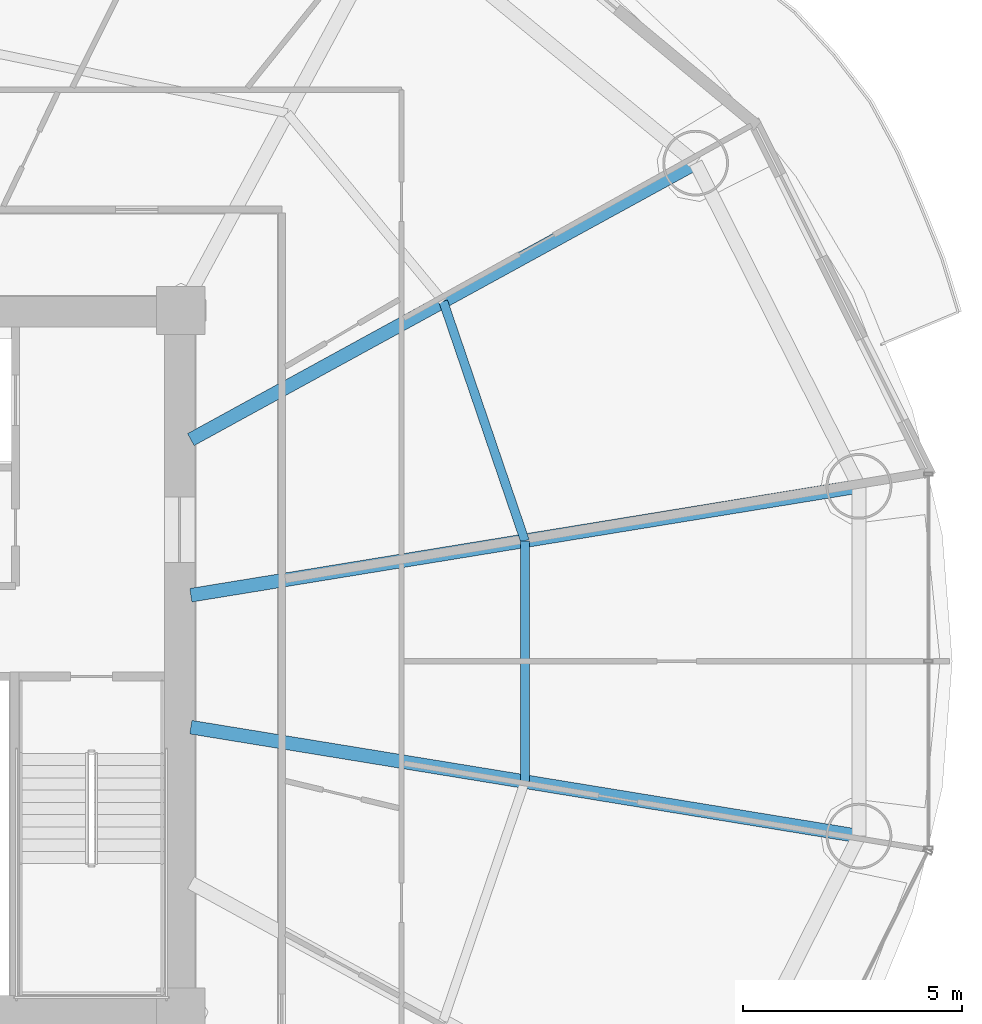
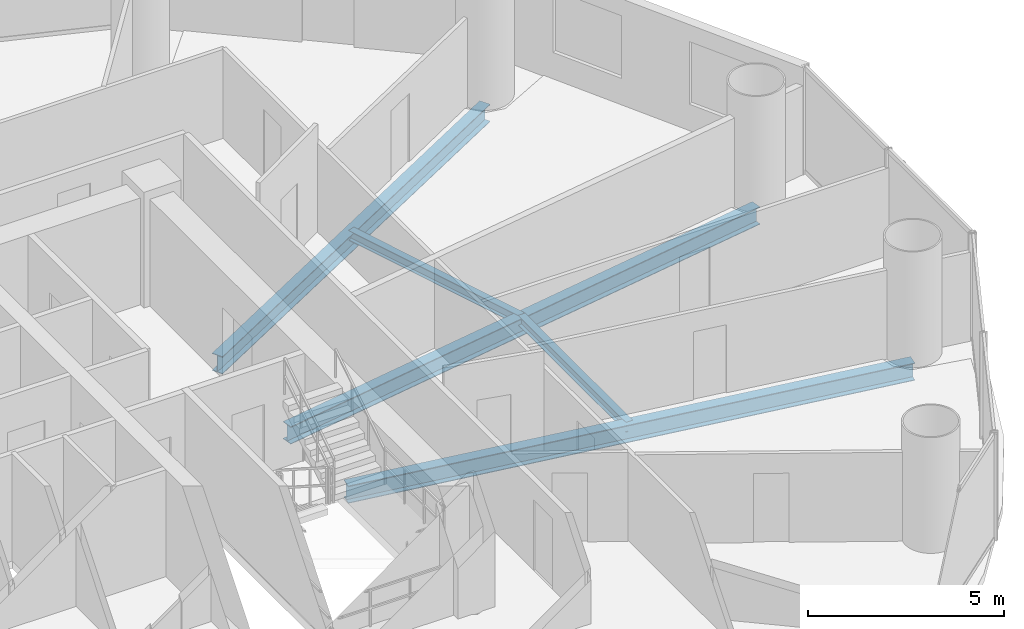
# One storey, part 14 of 29: 5 beams.
"""IFC4 building model written with IfcOpenShell, lengths in metres."""

import ifcopenshell
import ifcopenshell.guid

model = None  # the IFC model being written
_history = None  # IfcOwnerHistory: only IFC2X3 demands one
_inside = {}  # id of a spatial element -> (the spatial element, [elements in it])
_under = {}  # id of a project, library or spatial element -> (it, [spatial elements below it])
_declared = {}  # id of a project -> (the project, [libraries it declares])
_typed = {}  # id of a type object -> (the type object, [elements of that type])
_made_of = {}  # id of a material, layer set ... -> (it, [elements and type objects made of it])


def new_model(schema):
    """Start an empty IFC model of exactly this schema.

    Asked for "IFC4X3", IfcOpenShell would pick the latest addendum, in which some entities
    have other attributes; the version numbers below select the first issue.
    IFC2X3 requires an IfcOwnerHistory on every rooted entity: one is made here for all.
    """
    global model, _history
    if schema == "IFC4X3":
        model = ifcopenshell.file(schema_version=(4, 3, 0, 0))
    else:
        model = ifcopenshell.file(schema=schema)
    _inside.clear()
    _under.clear()
    _declared.clear()
    _typed.clear()
    _made_of.clear()
    _history = None
    if model.schema == "IFC2X3":
        org = make("IfcOrganization", Name="unknown")
        user = make(
            "IfcPersonAndOrganization",
            ThePerson=make("IfcPerson", FamilyName="unknown"),
            TheOrganization=org,
        )
        app = make(
            "IfcApplication",
            ApplicationDeveloper=org,
            Version="unknown",
            ApplicationFullName="unknown",
            ApplicationIdentifier="unknown",
        )
        _history = make(
            "IfcOwnerHistory",
            OwningUser=user,
            OwningApplication=app,
            ChangeAction="ADDED",
            CreationDate=0,
        )
    return model


def make(cls, **values):
    """One entity of the class cls with the attributes given. An attribute that is None is left unset."""
    return model.create_entity(
        cls, **{name: value for name, value in values.items() if value is not None}
    )


def rooted(cls, **values):
    """An entity with a GlobalId (a new one), such as an element, a storey or a relation."""
    return make(cls, GlobalId=ifcopenshell.guid.new(), OwnerHistory=_history, **values)


def si_unit(unit_type, name, prefix=None):
    """IfcSIUnit, for example si_unit("LENGTHUNIT", "METRE", prefix="MILLI")."""
    return make("IfcSIUnit", UnitType=unit_type, Prefix=prefix, Name=name)


def assignment(units):
    """IfcUnitAssignment: the units of a project."""
    return None if units is None else make("IfcUnitAssignment", Units=units)


def point(xyz):
    """IfcCartesianPoint."""
    return None if xyz is None else make("IfcCartesianPoint", Coordinates=xyz)


def direction(xyz):
    """IfcDirection."""
    return None if xyz is None else make("IfcDirection", DirectionRatios=xyz)


def frame(location, z_axis=None, x_axis=None):
    """IfcAxis2Placement3D, a coordinate frame: its origin and axes. An axis left out is left unset."""
    return make(
        "IfcAxis2Placement3D",
        Location=point(location),
        Axis=direction(z_axis),
        RefDirection=direction(x_axis),
    )


def frame_2d(location, x_axis=None):
    """IfcAxis2Placement2D, a coordinate frame in the plane: its origin and x axis."""
    return make(
        "IfcAxis2Placement2D", Location=point(location), RefDirection=direction(x_axis)
    )


def origin():
    """The frame at (0, 0, 0) with its axes left unset."""
    return frame((0.0, 0.0, 0.0))


def origin_2d():
    """The frame at (0, 0) in the plane with its x axis left unset."""
    return frame_2d((0.0, 0.0))


def place(relative_to, where):
    """IfcLocalPlacement: puts the frame where relative to a parent placement (None: the world)."""
    return make(
        "IfcLocalPlacement", PlacementRelTo=relative_to, RelativePlacement=where
    )


def context(
    kind, dimensions, precision=None, world=None, true_north=None, identifier=None
):
    """IfcGeometricRepresentationContext, for example the 3D "Model" context."""
    return make(
        "IfcGeometricRepresentationContext",
        ContextIdentifier=identifier,
        ContextType=kind,
        CoordinateSpaceDimension=dimensions,
        Precision=precision,
        WorldCoordinateSystem=world,
        TrueNorth=true_north,
    )


def subcontext(parent, identifier, kind, view, scale=None):
    """IfcGeometricRepresentationSubContext, for example "Body" below "Model"."""
    return make(
        "IfcGeometricRepresentationSubContext",
        ContextIdentifier=identifier,
        ContextType=kind,
        ParentContext=parent,
        TargetScale=scale,
        TargetView=view,
    )


def project(units=None, contexts=None):
    """IfcProject with its units and contexts."""
    return rooted(
        "IfcProject",
        Name="project",
        RepresentationContexts=contexts,
        UnitsInContext=assignment(units),
    )


def spatial(cls, under=None, at=None, **own):
    """A site, building, storey or space (cls), placed at a placement, below another one or the project."""
    s = rooted(cls, ObjectPlacement=at, **own)
    if under is not None:
        _under.setdefault(under.id(), (under, []))[1].append(s)
    return s


def profile(cls, at=None, kind="AREA", **sizes):
    """A parametric profile (cls). Its sizes go by their IFC names, for example OverallWidth=200.0."""
    return make(cls, ProfileType=kind, Position=at, **sizes)


def i_section(**sizes):
    """IfcIShapeProfileDef."""
    return profile("IfcIShapeProfileDef", **sizes)


def extrude(swept, where, along, depth):
    """IfcExtrudedAreaSolid: the profile swept, set in the frame where, extruded along a direction by depth."""
    return make(
        "IfcExtrudedAreaSolid",
        SweptArea=swept,
        Position=where,
        ExtrudedDirection=direction(along),
        Depth=depth,
    )


def shape(context_of_items, identifier, shape_type, items):
    """IfcShapeRepresentation: the items that make up one representation, for example the "Body"."""
    return make(
        "IfcShapeRepresentation",
        ContextOfItems=context_of_items,
        RepresentationIdentifier=identifier,
        RepresentationType=shape_type,
        Items=items,
    )


def material(Name=None, Category=None):
    """IfcMaterial."""
    return make("IfcMaterial", Name=Name, Category=Category)


def material_profile(
    of_material, cross_section, Name=None, Category=None, Priority=None
):
    """IfcMaterialProfile: a cross section and its material."""
    return make(
        "IfcMaterialProfile",
        Name=Name,
        Material=of_material,
        Profile=cross_section,
        Priority=Priority,
        Category=Category,
    )


def profile_set(profiles, Name=None, composite=None):
    """IfcMaterialProfileSet."""
    return make(
        "IfcMaterialProfileSet",
        Name=Name,
        MaterialProfiles=profiles,
        CompositeProfile=composite,
    )


def made_of(thing, what):
    """Note that an element or type object is made of a material, layer set ...; save() writes the relation."""
    if what is not None:
        _made_of.setdefault(what.id(), (what, []))[1].append(thing)
    return thing


def type_object(cls, material=None, **own):
    """A type object (cls), such as IfcWallType, which elements share."""
    return made_of(rooted(cls, **own), material)


def element(
    cls,
    number,
    at=None,
    inside=None,
    cuts=None,
    type_object=None,
    material=None,
    context=None,
    identifier="Body",
    shape_type=None,
    held_by="IfcProductDefinitionShape",
    body=None,
    shapes=None,
    **own,
):
    """One element of the class cls, such as IfcWall. Its Tag is "e" and its number.

    at: its placement. inside: the storey or other place that contains it. cuts: it is an
    opening in that element (IfcRelVoidsElement). A single representation is given by context,
    identifier, shape_type and body (its items); several are given by shapes. held_by: the class
    of the entity that holds the representations. save() writes the other relations.
    """
    e = rooted(cls, Tag="e%d" % number, ObjectPlacement=at, **own)
    if body is not None:
        shapes = [shape(context, identifier, shape_type, body)]
    if shapes is not None:
        e.Representation = make(held_by, Representations=shapes)
    if inside is not None:
        _inside.setdefault(inside.id(), (inside, []))[1].append(e)
    if cuts is not None:
        rooted(
            "IfcRelVoidsElement", RelatingBuildingElement=cuts, RelatedOpeningElement=e
        )
    if type_object is not None:
        _typed.setdefault(type_object.id(), (type_object, []))[1].append(e)
    return made_of(e, material)


def aggregate(whole, parts):
    """IfcRelAggregates: a whole, such as a stair, and the parts it consists of."""
    return rooted("IfcRelAggregates", RelatingObject=whole, RelatedObjects=parts)


def save(model, path):
    """Write the relations noted so far, then the file.

    IfcRelAggregates (storeys below a building ...), IfcRelContainedInSpatialStructure (elements
    in a storey), IfcRelDefinesByType, IfcRelAssociatesMaterial and IfcRelDeclares: one each for
    every whole, place, type object, material and project.
    """
    for whole, parts in _under.values():
        aggregate(whole, parts)
    for where, things in _inside.values():
        rooted(
            "IfcRelContainedInSpatialStructure",
            RelatedElements=things,
            RelatingStructure=where,
        )
    for kind, things in _typed.values():
        rooted("IfcRelDefinesByType", RelatedObjects=things, RelatingType=kind)
    for what, things in _made_of.values():
        rooted("IfcRelAssociatesMaterial", RelatedObjects=things, RelatingMaterial=what)
    for by, libraries in _declared.values():
        rooted("IfcRelDeclares", RelatingContext=by, RelatedDefinitions=libraries)
    model.write(path)


model = new_model("IFC4")

# Units and contexts
model_context = context("Model", 3, precision=1e-05, world=origin(), true_north=direction((-0.2419218956, 0.970295726276)))
body_context = subcontext(model_context, "Body", "Model", "MODEL_VIEW")
ifc_project = project(units=[si_unit("LENGTHUNIT", "METRE"), si_unit("AREAUNIT", "SQUARE_METRE"), si_unit("VOLUMEUNIT", "CUBIC_METRE"), si_unit("PLANEANGLEUNIT", "RADIAN"), si_unit("MASSUNIT", "GRAM", prefix="KILO")], contexts=[model_context])

# Site, building, storey
site_placement = place(None, origin())
site = spatial("IfcSite", under=ifc_project, at=site_placement, CompositionType="ELEMENT")
building_placement = place(site_placement, origin())
building = spatial("IfcBuilding", under=site, at=building_placement, Name="Cobrevalo Terracotta Tower", CompositionType="ELEMENT")
storey_placement = place(building_placement, frame((0.0, 0.0, 79.800048828125)))
storey = spatial("IfcBuildingStorey", under=building, at=storey_placement, Name="L20", CompositionType="ELEMENT", Elevation=79.800048828125)

# Beams
ifc_material = material(Name="Steel S355", Category="steel")
ifc_material_profile_1 = material_profile(ifc_material, i_section(OverallWidth=0.31201171875, OverallDepth=0.54296875, WebThickness=0.0126953125, FlangeThickness=0.020263671875, at=origin_2d()), Name="W 530x150")
ifc_profile_set_1 = profile_set([ifc_material_profile_1], Name="Steel S355")
beam_type_1 = type_object("IfcBeamType", Name="Structural Beam W 530x150 (Steel S355)", PredefinedType="BEAM", material=ifc_profile_set_1)
beam_1_placement = place(storey_placement, frame((62.470703125, 30.78955078125, -0.546630859375), z_axis=(-0.986970567439, -0.160900898101, 0.0), x_axis=(0.160900898101, -0.986970567439, 0.0)))
element("IfcBeam", 1, at=beam_1_placement, inside=storey, type_object=beam_type_1, Name="L20 radial floor girder 01", PredefinedType="BEAM", context=body_context, shape_type="SweptSolid", body=[
    extrude(i_section(OverallWidth=0.31201171875, OverallDepth=0.54296875, WebThickness=0.0126953125, FlangeThickness=0.020263671875, at=origin_2d()), origin(), (0.0, 0.0, 1.0), 15.44189453125),
])
beam_2_placement = place(storey_placement, frame((58.7451171875, 38.161376953125, -0.546630859375), z_axis=(-0.877080599376, -0.480343233738, 0.0), x_axis=(0.480343233738, -0.877080599376, 0.0)))
element("IfcBeam", 2, at=beam_2_placement, inside=storey, type_object=beam_type_1, Name="L20 radial floor girder 02", PredefinedType="BEAM", context=body_context, shape_type="SweptSolid", body=[
    extrude(i_section(OverallWidth=0.31201171875, OverallDepth=0.54296875, WebThickness=0.0126953125, FlangeThickness=0.020263671875, at=origin_2d()), origin(), (0.0, 0.0, 1.0), 13.12890625),
])
beam_3_placement = place(storey_placement, frame((62.470703125, 22.810302734375, -0.546630859375), z_axis=(-0.986968056587, 0.160916298977, 0.0), x_axis=(-0.160916298977, -0.986968056587, 0.0)))
element("IfcBeam", 3, at=beam_3_placement, inside=storey, type_object=beam_type_1, Name="L20 radial floor girder 16", PredefinedType="BEAM", context=body_context, shape_type="SweptSolid", body=[
    extrude(i_section(OverallWidth=0.31201171875, OverallDepth=0.54296875, WebThickness=0.0126953125, FlangeThickness=0.020263671875, at=origin_2d()), origin(), (0.0, 0.0, 1.0), 15.44189453125),
])
ifc_material_profile_2 = material_profile(ifc_material, i_section(OverallWidth=0.2041015625, OverallDepth=0.305908203125, WebThickness=0.008544921875, FlangeThickness=0.0146484375, at=origin_2d()), Name="W 310x67")
ifc_profile_set_2 = profile_set([ifc_material_profile_2], Name="Steel S355")
beam_type_2 = type_object("IfcBeamType", Name="Structural Joist W 310x67 (Steel S355)", PredefinedType="JOIST", material=ifc_profile_set_2)
beam_4_placement = place(storey_placement, frame((54.850341796875, 29.547119140625, -0.427978515625), z_axis=(-0.322833299398, 0.94645584197, 0.0), x_axis=(-0.94645584197, -0.322833299398, 0.0)))
element("IfcBeam", 4, at=beam_4_placement, inside=storey, type_object=beam_type_2, Name="L20 circumferential secondary floor joist 01", PredefinedType="JOIST", context=body_context, shape_type="SweptSolid", body=[
    extrude(i_section(OverallWidth=0.2041015625, OverallDepth=0.305908203125, WebThickness=0.008544921875, FlangeThickness=0.0146484375, at=origin_2d()), origin(), (0.0, 0.0, 1.0), 5.77001953125),
])
beam_5_placement = place(storey_placement, frame((54.850341796875, 24.052734375, -0.427978515625), z_axis=(0.0, 1.0, 0.0), x_axis=(-1.0, 0.0, 0.0)))
element("IfcBeam", 5, at=beam_5_placement, inside=storey, type_object=beam_type_2, Name="L20 circumferential secondary floor joist 16", PredefinedType="JOIST", context=body_context, shape_type="SweptSolid", body=[
    extrude(i_section(OverallWidth=0.2041015625, OverallDepth=0.305908203125, WebThickness=0.008544921875, FlangeThickness=0.0146484375, at=origin_2d()), origin(), (0.0, 0.0, 1.0), 5.494384765625),
])

save(model, "model.ifc")
